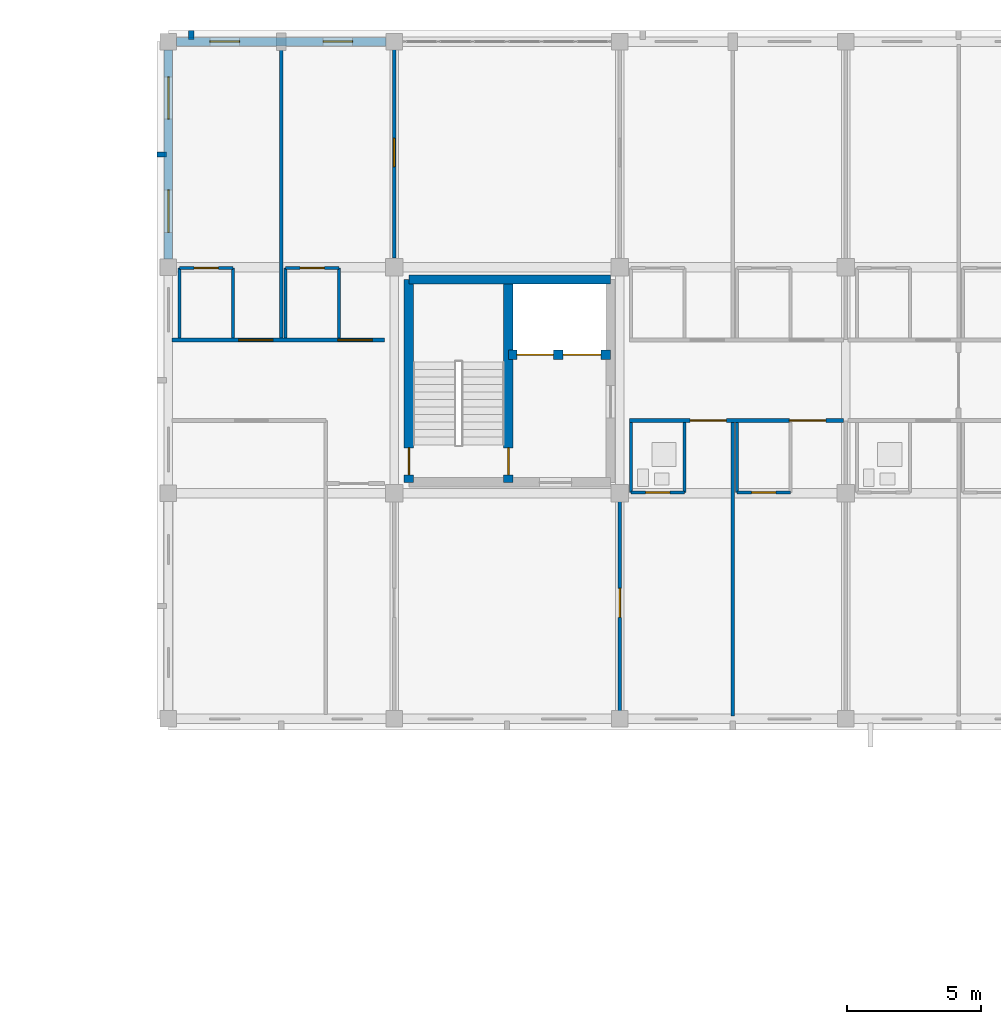
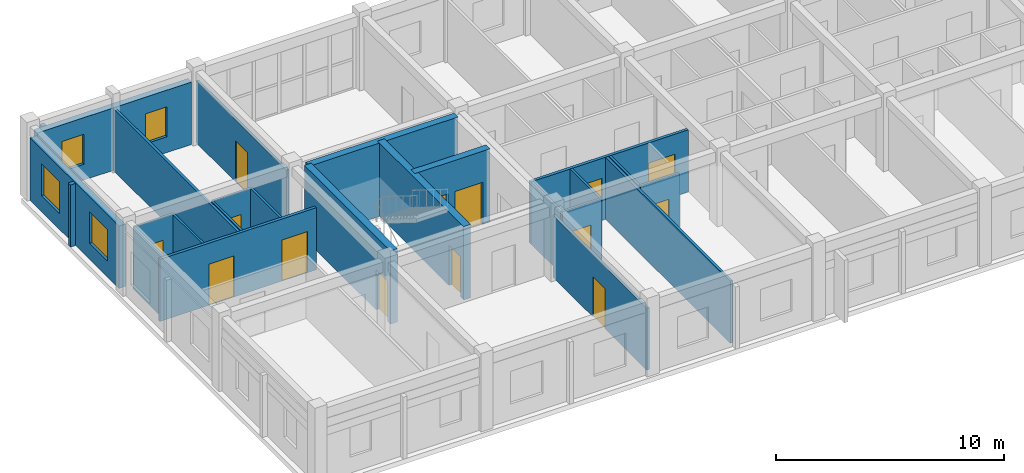
# One storey, part 66 of 81: 25 walls, 14 doors, 4 windows, 18 openings.
"""IFC4 building model written with IfcOpenShell, lengths in metres."""

from ifc_helpers import new_model, si_unit, direction, frame, frame_2d, origin, place, context, subcontext, project, spatial, rectangle, extrude, material, layer, layer_set, type_object, element, fill, save


model = new_model("IFC4")

# Units and contexts
model_context = context("Model", 3, precision=1e-05, world=origin(), true_north=direction((0.0, 1.0)))
body_context = subcontext(model_context, "Body", "Model", "MODEL_VIEW")
ifc_project = project(units=[si_unit("LENGTHUNIT", "METRE"), si_unit("AREAUNIT", "SQUARE_METRE"), si_unit("VOLUMEUNIT", "CUBIC_METRE"), si_unit("PLANEANGLEUNIT", "RADIAN"), si_unit("MASSUNIT", "GRAM", prefix="KILO")], contexts=[model_context])

# Site, building, storey
site_placement = place(None, origin())
site = spatial("IfcSite", under=ifc_project, at=site_placement, CompositionType="ELEMENT")
building_placement = place(site_placement, origin())
building = spatial("IfcBuilding", under=site, at=building_placement, Name="Trelvath General Hospital", CompositionType="ELEMENT")
storey_placement = place(building_placement, frame((0.0, 0.0, 24.60009765625)))
storey = spatial("IfcBuildingStorey", under=building, at=storey_placement, Name="L06", CompositionType="ELEMENT", Elevation=24.60009765625)

# Walls
ifc_material_1 = material(Name="Precast concrete C40/50", Category="concrete")
ifc_layer_1 = layer(ifc_material_1, 0.199951171875)
ifc_layer_set_1 = layer_set([ifc_layer_1], Name="Precast concrete C40/50")
wall_type_1 = type_object("IfcWallType", Name="BriseSoleilRib 200", PredefinedType="ELEMENTEDWALL", material=ifc_layer_set_1)
for number, where, z_axis, x_axis, name in (
    (1, (34.4501953125, 117.675048828125, 0.0), (0.0, 0.0, 1.0), (0.0, 1.0, 0.0), "Precast Concrete Brise-Soleil Rib Fin L06-415"),
    (2, (33.52490234375, 113.39990234375, 0.0), (0.0, 0.0, 1.0), (-1.0, 0.0, 0.0), "Precast Concrete Brise-Soleil Rib Fin L06-416"),
):
    element("IfcWall", number, at=place(storey_placement, frame(where, z_axis=z_axis, x_axis=x_axis)), inside=storey, type_object=wall_type_1, Name=name, PredefinedType="ELEMENTEDWALL", context=body_context, shape_type="SweptSolid", body=[
        extrude(rectangle(XDim=0.33984375, YDim=0.199951171875, at=frame_2d((0.169921875, 0.0))), origin(), (0.0, 0.0, 1.0), 3.31982421875),
    ])

# Wall, openings, doors
ifc_material_2 = material(Name="Gypsum acoustic steel-stud partition", Category="steel")
ifc_layer_2 = layer(ifc_material_2, 0.14990234375)
ifc_layer_set_2 = layer_set([ifc_layer_2], Name="Gypsum acoustic steel-stud partition")
wall_type_2 = type_object("IfcWallType", Name="ClinicalPartition 150", PredefinedType="PARTITIONING", material=ifc_layer_set_2)
wall_1_placement = place(storey_placement, frame((41.639892578125, 106.5, 0.0), z_axis=(0.0, 0.0, 1.0), x_axis=(-1.0, 0.0, 0.0)))
wall_1 = element("IfcWall", 3, at=wall_1_placement, inside=storey, type_object=wall_type_2, Name="Corridor Partition N L06-2159", PredefinedType="PARTITIONING", context=body_context, shape_type="SweptSolid", body=[
    extrude(rectangle(XDim=7.89990234375, YDim=0.14990234375, at=frame_2d((3.949951171875, 0.0))), origin(), (0.0, 0.0, 1.0), 3.31982421875),
])
opening_1_placement = place(wall_1_placement, frame((0.449951171875, 0.0, 0.0)))
opening_1 = element("IfcOpeningElement", 4, at=opening_1_placement, cuts=wall_1, Name="Opening D-6-1373", PredefinedType="OPENING", context=body_context, shape_type="SweptSolid", body=[
    extrude(rectangle(XDim=1.280029296875, YDim=2.199951171875, at=frame_2d((0.64013671875, 1.10009765625))), frame((0.0, 0.0849609375, 0.0), z_axis=(0.0, -1.0, 0.0), x_axis=(1.0, 0.0, 0.0)), (0.0, 0.0, 1.0), 0.169921875),
])
opening_2_placement = place(wall_1_placement, frame((4.14990234375, 0.0, 0.0)))
opening_2 = element("IfcOpeningElement", 5, at=opening_2_placement, cuts=wall_1, Name="Opening D-6-1374", PredefinedType="OPENING", context=body_context, shape_type="SweptSolid", body=[
    extrude(rectangle(XDim=1.280029296875, YDim=2.199951171875, at=frame_2d((0.64013671875, 1.10009765625))), frame((0.0, 0.0849609375, 0.0), z_axis=(0.0, -1.0, 0.0), x_axis=(1.0, 0.0, 0.0)), (0.0, 0.0, 1.0), 0.169921875),
])
ifc_material_3 = material(Name="Pediatric ward timber door", Category="wood")
door_type_1 = type_object("IfcDoorType", Name="Door PatientPeds 1280x2200", OperationType="NOTDEFINED", PredefinedType="DOOR", material=ifc_material_3)
door_1_placement = place(opening_1_placement, origin())
door_1 = element("IfcDoor", 6, at=door_1_placement, inside=storey, type_object=door_type_1, Name="Patient Room Door N L06-1373", OperationType="SINGLE_SWING_LEFT", OverallHeight=2.199951171875, OverallWidth=1.280029296875, PredefinedType="DOOR", context=body_context, shape_type="SweptSolid", body=[
    extrude(rectangle(XDim=1.280029296875, YDim=2.199951171875, at=frame_2d((0.64013671875, 1.10009765625))), frame((0.0, 0.02490234375, 0.0), z_axis=(0.0, -1.0, 0.0), x_axis=(1.0, 0.0, 0.0)), (0.0, 0.0, 1.0), 0.050048828125),
])
fill(opening_1, door_1)
door_2_placement = place(opening_2_placement, origin())
door_2 = element("IfcDoor", 7, at=door_2_placement, inside=storey, type_object=door_type_1, Name="Patient Room Door N L06-1374", OperationType="SINGLE_SWING_LEFT", OverallHeight=2.199951171875, OverallWidth=1.280029296875, PredefinedType="DOOR", context=body_context, shape_type="SweptSolid", body=[
    extrude(rectangle(XDim=1.280029296875, YDim=2.199951171875, at=frame_2d((0.64013671875, 1.10009765625))), frame((0.0, 0.02490234375, 0.0), z_axis=(0.0, -1.0, 0.0), x_axis=(1.0, 0.0, 0.0)), (0.0, 0.0, 1.0), 0.050048828125),
])
fill(opening_2, door_2)

wall_2_placement = place(storey_placement, frame((50.760009765625, 103.5, 0.0), z_axis=(0.0, 0.0, 1.0), x_axis=(1.0, 0.0, 0.0)))
wall_2 = element("IfcWall", 8, at=wall_2_placement, inside=storey, type_object=wall_type_2, Name="Corridor Partition L06-2171", PredefinedType="PARTITIONING", context=body_context, shape_type="SweptSolid", body=[
    extrude(rectangle(XDim=7.9599609375, YDim=0.14990234375, at=frame_2d((3.97998046875, 0.0))), origin(), (0.0, 0.0, 1.0), 3.31982421875),
])
opening_3_placement = place(wall_2_placement, frame((2.25, 0.0, 0.0)))
opening_3 = element("IfcOpeningElement", 9, at=opening_3_placement, cuts=wall_2, Name="Opening D-6-1381", PredefinedType="OPENING", context=body_context, shape_type="SweptSolid", body=[
    extrude(rectangle(XDim=1.35009765625, YDim=2.25, at=frame_2d((0.675048828125, 1.125))), frame((0.0, 0.0849609375, 0.0), z_axis=(0.0, -1.0, 0.0), x_axis=(1.0, 0.0, 0.0)), (0.0, 0.0, 1.0), 0.169921875),
])
opening_4_placement = place(wall_2_placement, frame((5.949951171875, 0.0, 0.0)))
opening_4 = element("IfcOpeningElement", 10, at=opening_4_placement, cuts=wall_2, Name="Opening D-6-1382", PredefinedType="OPENING", context=body_context, shape_type="SweptSolid", body=[
    extrude(rectangle(XDim=1.35009765625, YDim=2.25, at=frame_2d((0.675048828125, 1.125))), frame((0.0, 0.0849609375, 0.0), z_axis=(0.0, -1.0, 0.0), x_axis=(1.0, 0.0, 0.0)), (0.0, 0.0, 1.0), 0.169921875),
])
ifc_material_4 = material(Name="Airtight isolation bed door")
door_type_2 = type_object("IfcDoorType", Name="Door PatientIso 1350x2250", OperationType="NOTDEFINED", PredefinedType="DOOR", material=ifc_material_4)
door_3_placement = place(opening_3_placement, origin())
door_3 = element("IfcDoor", 11, at=door_3_placement, inside=storey, type_object=door_type_2, Name="Patient Room Door L06-1381", OperationType="SINGLE_SWING_RIGHT", OverallHeight=2.25, OverallWidth=1.35009765625, PredefinedType="DOOR", context=body_context, shape_type="SweptSolid", body=[
    extrude(rectangle(XDim=1.35009765625, YDim=2.25, at=frame_2d((0.675048828125, 1.125))), frame((0.0, 0.02490234375, 0.0), z_axis=(0.0, -1.0, 0.0), x_axis=(1.0, 0.0, 0.0)), (0.0, 0.0, 1.0), 0.050048828125),
])
fill(opening_3, door_3)
door_4_placement = place(opening_4_placement, origin())
door_4 = element("IfcDoor", 12, at=door_4_placement, inside=storey, type_object=door_type_2, Name="Patient Room Door L06-1382", OperationType="SINGLE_SWING_LEFT", OverallHeight=2.25, OverallWidth=1.35009765625, PredefinedType="DOOR", context=body_context, shape_type="SweptSolid", body=[
    extrude(rectangle(XDim=1.35009765625, YDim=2.25, at=frame_2d((0.675048828125, 1.125))), frame((0.0, 0.02490234375, 0.0), z_axis=(0.0, -1.0, 0.0), x_axis=(1.0, 0.0, 0.0)), (0.0, 0.0, 1.0), 0.050048828125),
])
fill(opening_4, door_4)

# Wall
ifc_material_5 = material(Name="Concrete C40/50", Category="concrete")
ifc_layer_3 = layer(ifc_material_5, 0.35009765625)
ifc_layer_set_3 = layer_set([ifc_layer_3], Name="Concrete C40/50")
wall_type_3 = type_object("IfcWallType", Name="CoreShearWall 350", PredefinedType="SHEAR", material=ifc_layer_set_3)
wall_3_placement = place(storey_placement, frame((42.550048828125, 108.75, 0.0), z_axis=(0.0, 0.0, 1.0), x_axis=(1.0, 0.0, 0.0)))
element("IfcWall", 13, at=wall_3_placement, inside=storey, type_object=wall_type_3, Name="Core Shear Wall C1 N L06", PredefinedType="SHEAR", context=body_context, shape_type="SweptSolid", body=[
    extrude(rectangle(XDim=7.5, YDim=0.35009765625, at=frame_2d((3.75, 0.0))), origin(), (0.0, 0.0, 1.0), 3.919921875),
])

# Wall, opening, door
wall_4_placement = place(storey_placement, frame((42.550048828125, 101.199951171875, 0.0), z_axis=(0.0, 0.0, 1.0), x_axis=(0.0, 1.0, 0.0)))
wall_4 = element("IfcWall", 14, at=wall_4_placement, inside=storey, type_object=wall_type_3, Name="Core Shear Wall C1 W L06", PredefinedType="SHEAR", context=body_context, shape_type="SweptSolid", body=[
    extrude(rectangle(XDim=7.550048828125, YDim=0.35009765625, at=frame_2d((3.77490234375, 0.0))), origin(), (0.0, 0.0, 1.0), 3.919921875),
])
opening_5_placement = place(wall_4_placement, frame((0.280029296875, 0.0, 0.0)))
opening_5 = element("IfcOpeningElement", 15, at=opening_5_placement, cuts=wall_4, Name="Opening FD-SW16", PredefinedType="OPENING", context=body_context, shape_type="SweptSolid", body=[
    extrude(rectangle(XDim=1.0, YDim=2.14990234375, at=frame_2d((0.5, 1.074951171875))), frame((0.0, 0.18505859375, 0.0), z_axis=(0.0, -1.0, 0.0), x_axis=(1.0, 0.0, 0.0)), (0.0, 0.0, 1.0), 0.3701171875),
])
ifc_material_6 = material(Name="Fire-rated steel door", Category="steel")
door_type_3 = type_object("IfcDoorType", Name="Door FireStair 1100x2150", OperationType="NOTDEFINED", PredefinedType="DOOR", material=ifc_material_6)
door_5_placement = place(opening_5_placement, origin())
door_5 = element("IfcDoor", 16, at=door_5_placement, inside=storey, type_object=door_type_3, Name="West Corridor Stair Door ST1 L06", OperationType="SINGLE_SWING_LEFT", OverallHeight=2.14990234375, OverallWidth=1.0, PredefinedType="DOOR", context=body_context, shape_type="SweptSolid", body=[
    extrude(rectangle(XDim=1.0, YDim=2.14990234375, at=frame_2d((0.5, 1.074951171875))), frame((0.0, 0.02490234375, 0.0), z_axis=(0.0, -1.0, 0.0), x_axis=(1.0, 0.0, 0.0)), (0.0, 0.0, 1.0), 0.050048828125),
])
fill(opening_5, door_5)

wall_5_placement = place(storey_placement, frame((46.25, 101.199951171875, 0.0), z_axis=(0.0, 0.0, 1.0), x_axis=(0.0, 1.0, 0.0)))
wall_5 = element("IfcWall", 17, at=wall_5_placement, inside=storey, type_object=wall_type_3, Name="Core Shear Wall C1 SPINE L06", PredefinedType="SHEAR", context=body_context, shape_type="SweptSolid", body=[
    extrude(rectangle(XDim=7.550048828125, YDim=0.35009765625, at=frame_2d((3.77490234375, 0.0))), origin(), (0.0, 0.0, 1.0), 3.919921875),
])
opening_6_placement = place(wall_5_placement, frame((0.280029296875, 0.0, 0.0)))
opening_6 = element("IfcOpeningElement", 18, at=opening_6_placement, cuts=wall_5, Name="Opening FD-S16", PredefinedType="OPENING", context=body_context, shape_type="SweptSolid", body=[
    extrude(rectangle(XDim=1.0, YDim=2.14990234375, at=frame_2d((0.5, 1.074951171875))), frame((0.0, 0.18505859375, 0.0), z_axis=(0.0, -1.0, 0.0), x_axis=(1.0, 0.0, 0.0)), (0.0, 0.0, 1.0), 0.3701171875),
])
door_6_placement = place(opening_6_placement, origin())
door_6 = element("IfcDoor", 19, at=door_6_placement, inside=storey, type_object=door_type_3, Name="Exit Stair Door ST1 L06", OperationType="SINGLE_SWING_RIGHT", OverallHeight=2.14990234375, OverallWidth=1.0, PredefinedType="DOOR", context=body_context, shape_type="SweptSolid", body=[
    extrude(rectangle(XDim=1.0, YDim=2.14990234375, at=frame_2d((0.5, 1.074951171875))), frame((0.0, 0.02490234375, 0.0), z_axis=(0.0, -1.0, 0.0), x_axis=(1.0, 0.0, 0.0)), (0.0, 0.0, 1.0), 0.050048828125),
])
fill(opening_6, door_6)

# Wall, openings, doors
wall_6_placement = place(storey_placement, frame((46.25, 105.949951171875, 0.0), z_axis=(0.0, 0.0, 1.0), x_axis=(1.0, 0.0, 0.0)))
wall_6 = element("IfcWall", 20, at=wall_6_placement, inside=storey, type_object=wall_type_3, Name="Core Shear Wall C1 SHAFT L06", PredefinedType="SHEAR", context=body_context, shape_type="SweptSolid", body=[
    extrude(rectangle(XDim=3.800048828125, YDim=0.35009765625, at=frame_2d((1.89990234375, 0.0))), origin(), (0.0, 0.0, 1.0), 3.919921875),
])
opening_7_placement = place(wall_6_placement, frame((0.320068359375, 0.0, 0.0)))
opening_7 = element("IfcOpeningElement", 21, at=opening_7_placement, cuts=wall_6, Name="Opening LD-FF1-6", PredefinedType="OPENING", context=body_context, shape_type="SweptSolid", body=[
    extrude(rectangle(XDim=1.35009765625, YDim=2.25, at=frame_2d((0.675048828125, 1.125))), frame((0.0, 0.18505859375, 0.0), z_axis=(0.0, -1.0, 0.0), x_axis=(1.0, 0.0, 0.0)), (0.0, 0.0, 1.0), 0.3701171875),
])
opening_8_placement = place(wall_6_placement, frame((2.0400390625, 0.0, 0.0)))
opening_8 = element("IfcOpeningElement", 22, at=opening_8_placement, cuts=wall_6, Name="Opening LD-BD1-6", PredefinedType="OPENING", context=body_context, shape_type="SweptSolid", body=[
    extrude(rectangle(XDim=1.39990234375, YDim=2.25, at=frame_2d((0.699951171875, 1.125))), frame((0.0, 0.18505859375, 0.0), z_axis=(0.0, -1.0, 0.0), x_axis=(1.0, 0.0, 0.0)), (0.0, 0.0, 1.0), 0.3701171875),
])
ifc_material_7 = material(Name="Stainless steel stretcher lift landing door", Category="steel")
door_type_4 = type_object("IfcDoorType", Name="Door LiftBed 1400x2250", OperationType="SLIDING_TO_LEFT", PredefinedType="DOOR", material=ifc_material_7)
door_7_placement = place(opening_8_placement, origin())
door_7 = element("IfcDoor", 23, at=door_7_placement, inside=storey, type_object=door_type_4, Name="Lift Landing Sliding Door LF-BD1 L06", OperationType="SLIDING_TO_LEFT", OverallHeight=2.25, OverallWidth=1.39990234375, PredefinedType="DOOR", context=body_context, shape_type="SweptSolid", body=[
    extrude(rectangle(XDim=1.39990234375, YDim=2.25, at=frame_2d((0.699951171875, 1.125))), frame((0.0, 0.02490234375, 0.0), z_axis=(0.0, -1.0, 0.0), x_axis=(1.0, 0.0, 0.0)), (0.0, 0.0, 1.0), 0.050048828125),
])
fill(opening_8, door_7)
ifc_material_8 = material(Name="Fire-rated stainless lift landing door")
door_type_5 = type_object("IfcDoorType", Name="Door LiftFire 1350x2250", OperationType="SLIDING_TO_LEFT", PredefinedType="DOOR", material=ifc_material_8)
door_8_placement = place(opening_7_placement, origin())
door_8 = element("IfcDoor", 24, at=door_8_placement, inside=storey, type_object=door_type_5, Name="Lift Landing Sliding Door LF-FF1 L06", OperationType="SLIDING_TO_LEFT", OverallHeight=2.25, OverallWidth=1.35009765625, PredefinedType="DOOR", context=body_context, shape_type="SweptSolid", body=[
    extrude(rectangle(XDim=1.35009765625, YDim=2.25, at=frame_2d((0.675048828125, 1.125))), frame((0.0, 0.02490234375, 0.0), z_axis=(0.0, -1.0, 0.0), x_axis=(1.0, 0.0, 0.0)), (0.0, 0.0, 1.0), 0.050048828125),
])
fill(opening_7, door_8)

# Walls
ifc_material_9 = material(Name="Moisture-resistant tile partition")
ifc_layer_4 = layer(ifc_material_9, 0.110107421875)
ifc_layer_set_4 = layer_set([ifc_layer_4], Name="Moisture-resistant tile partition")
wall_type_4 = type_object("IfcWallType", Name="EnSuiteWetWall 110", PredefinedType="PARTITIONING", material=ifc_layer_set_4)
for number, where, z_axis, x_axis, name in (
    (25, (34.02001953125, 106.570068359375, 0.0), (0.0, 0.0, 1.0), (0.0, 1.0, 0.0), "En-Suite W Wall N L06-2161"),
    (26, (36.0, 106.570068359375, 0.0), (0.0, 0.0, 1.0), (0.0, 1.0, 0.0), "En-Suite E Wall N L06-2162"),
):
    element("IfcWall", number, at=place(storey_placement, frame(where, z_axis=z_axis, x_axis=x_axis)), inside=storey, type_object=wall_type_4, Name=name, PredefinedType="PARTITIONING", context=body_context, shape_type="SweptSolid", body=[
        extrude(rectangle(XDim=2.60986328125, YDim=0.110107421875, at=frame_2d((1.304931640625, 0.0))), origin(), (0.0, 0.0, 1.0), 3.31982421875),
    ])

# Wall, opening, door
wall_7_placement = place(storey_placement, frame((34.02001953125, 109.179931640625, 0.0), z_axis=(0.0, 0.0, 1.0), x_axis=(1.0, 0.0, 0.0)))
wall_7 = element("IfcWall", 27, at=wall_7_placement, inside=storey, type_object=wall_type_4, Name="En-Suite Bathroom N Partition L06-2163", PredefinedType="PARTITIONING", context=body_context, shape_type="SweptSolid", body=[
    extrude(rectangle(XDim=1.97998046875, YDim=0.110107421875, at=frame_2d((0.989990234375, 0.0))), origin(), (0.0, 0.0, 1.0), 3.31982421875),
])
opening_9_placement = place(wall_7_placement, frame((0.5400390625, 0.0, 0.0)))
opening_9 = element("IfcOpeningElement", 28, at=opening_9_placement, cuts=wall_7, Name="Opening D-6-1375", PredefinedType="OPENING", context=body_context, shape_type="SweptSolid", body=[
    extrude(rectangle(XDim=0.89990234375, YDim=2.10009765625, at=frame_2d((0.449951171875, 1.050048828125))), frame((0.0, 0.06494140625, 0.0), z_axis=(0.0, -1.0, 0.0), x_axis=(1.0, 0.0, 0.0)), (0.0, 0.0, 1.0), 0.130126953125),
])
ifc_material_10 = material(Name="Moisture-sealed timber leaf", Category="wood")
door_type_6 = type_object("IfcDoorType", Name="Door EnSuite 900x2100", OperationType="NOTDEFINED", PredefinedType="DOOR", material=ifc_material_10)
door_9_placement = place(opening_9_placement, origin())
door_9 = element("IfcDoor", 29, at=door_9_placement, inside=storey, type_object=door_type_6, Name="En-Suite Bathroom N Door L06-1375", OperationType="SINGLE_SWING_RIGHT", OverallHeight=2.10009765625, OverallWidth=0.89990234375, PredefinedType="DOOR", context=body_context, shape_type="SweptSolid", body=[
    extrude(rectangle(XDim=0.89990234375, YDim=2.10009765625, at=frame_2d((0.449951171875, 1.050048828125))), frame((0.0, 0.02490234375, 0.0), z_axis=(0.0, -1.0, 0.0), x_axis=(1.0, 0.0, 0.0)), (0.0, 0.0, 1.0), 0.050048828125),
])
fill(opening_9, door_9)

# Walls
for number, where, z_axis, x_axis, name in (
    (30, (37.9599609375, 106.570068359375, 0.0), (0.0, 0.0, 1.0), (0.0, 1.0, 0.0), "En-Suite W Wall N L06-2164"),
    (31, (39.93994140625, 106.570068359375, 0.0), (0.0, 0.0, 1.0), (0.0, 1.0, 0.0), "En-Suite E Wall N L06-2165"),
):
    element("IfcWall", number, at=place(storey_placement, frame(where, z_axis=z_axis, x_axis=x_axis)), inside=storey, type_object=wall_type_4, Name=name, PredefinedType="PARTITIONING", context=body_context, shape_type="SweptSolid", body=[
        extrude(rectangle(XDim=2.60986328125, YDim=0.110107421875, at=frame_2d((1.304931640625, 0.0))), origin(), (0.0, 0.0, 1.0), 3.31982421875),
    ])

# Wall, opening, door
wall_8_placement = place(storey_placement, frame((37.9599609375, 109.179931640625, 0.0), z_axis=(0.0, 0.0, 1.0), x_axis=(1.0, 0.0, 0.0)))
wall_8 = element("IfcWall", 32, at=wall_8_placement, inside=storey, type_object=wall_type_4, Name="En-Suite Bathroom N Partition L06-2166", PredefinedType="PARTITIONING", context=body_context, shape_type="SweptSolid", body=[
    extrude(rectangle(XDim=1.97998046875, YDim=0.110107421875, at=frame_2d((0.989990234375, 0.0))), origin(), (0.0, 0.0, 1.0), 3.31982421875),
])
opening_10_placement = place(wall_8_placement, frame((0.5400390625, 0.0, 0.0)))
opening_10 = element("IfcOpeningElement", 33, at=opening_10_placement, cuts=wall_8, Name="Opening D-6-1376", PredefinedType="OPENING", context=body_context, shape_type="SweptSolid", body=[
    extrude(rectangle(XDim=0.89990234375, YDim=2.10009765625, at=frame_2d((0.449951171875, 1.050048828125))), frame((0.0, 0.06494140625, 0.0), z_axis=(0.0, -1.0, 0.0), x_axis=(1.0, 0.0, 0.0)), (0.0, 0.0, 1.0), 0.130126953125),
])
door_10_placement = place(opening_10_placement, origin())
door_10 = element("IfcDoor", 34, at=door_10_placement, inside=storey, type_object=door_type_6, Name="En-Suite Bathroom N Door L06-1376", OperationType="SINGLE_SWING_LEFT", OverallHeight=2.10009765625, OverallWidth=0.89990234375, PredefinedType="DOOR", context=body_context, shape_type="SweptSolid", body=[
    extrude(rectangle(XDim=0.89990234375, YDim=2.10009765625, at=frame_2d((0.449951171875, 1.050048828125))), frame((0.0, 0.02490234375, 0.0), z_axis=(0.0, -1.0, 0.0), x_axis=(1.0, 0.0, 0.0)), (0.0, 0.0, 1.0), 0.050048828125),
])
fill(opening_10, door_10)

# Walls
for number, where, z_axis, x_axis, name in (
    (35, (50.820068359375, 100.820068359375, 0.0), (0.0, 0.0, 1.0), (0.0, 1.0, 0.0), "En-Suite W Wall L06-2173"),
    (36, (52.800048828125, 100.820068359375, 0.0), (0.0, 0.0, 1.0), (0.0, 1.0, 0.0), "En-Suite E Wall L06-2174"),
):
    element("IfcWall", number, at=place(storey_placement, frame(where, z_axis=z_axis, x_axis=x_axis)), inside=storey, type_object=wall_type_4, Name=name, PredefinedType="PARTITIONING", context=body_context, shape_type="SweptSolid", body=[
        extrude(rectangle(XDim=2.60986328125, YDim=0.110107421875, at=frame_2d((1.304931640625, 0.0))), origin(), (0.0, 0.0, 1.0), 3.31982421875),
    ])

# Wall, opening, door
wall_9_placement = place(storey_placement, frame((50.820068359375, 100.820068359375, 0.0), z_axis=(0.0, 0.0, 1.0), x_axis=(1.0, 0.0, 0.0)))
wall_9 = element("IfcWall", 37, at=wall_9_placement, inside=storey, type_object=wall_type_4, Name="En-Suite Bathroom Partition L06-2175", PredefinedType="PARTITIONING", context=body_context, shape_type="SweptSolid", body=[
    extrude(rectangle(XDim=1.97998046875, YDim=0.110107421875, at=frame_2d((0.989990234375, 0.0))), origin(), (0.0, 0.0, 1.0), 3.31982421875),
])
opening_11_placement = place(wall_9_placement, frame((0.5400390625, 0.0, 0.0)))
opening_11 = element("IfcOpeningElement", 38, at=opening_11_placement, cuts=wall_9, Name="Opening D-6-1383", PredefinedType="OPENING", context=body_context, shape_type="SweptSolid", body=[
    extrude(rectangle(XDim=0.89990234375, YDim=2.10009765625, at=frame_2d((0.449951171875, 1.050048828125))), frame((0.0, 0.06494140625, 0.0), z_axis=(0.0, -1.0, 0.0), x_axis=(1.0, 0.0, 0.0)), (0.0, 0.0, 1.0), 0.130126953125),
])
door_11_placement = place(opening_11_placement, origin())
door_11 = element("IfcDoor", 39, at=door_11_placement, inside=storey, type_object=door_type_6, Name="En-Suite Bathroom Door L06-1383", OperationType="SINGLE_SWING_RIGHT", OverallHeight=2.10009765625, OverallWidth=0.89990234375, PredefinedType="DOOR", context=body_context, shape_type="SweptSolid", body=[
    extrude(rectangle(XDim=0.89990234375, YDim=2.10009765625, at=frame_2d((0.449951171875, 1.050048828125))), frame((0.0, 0.02490234375, 0.0), z_axis=(0.0, -1.0, 0.0), x_axis=(1.0, 0.0, 0.0)), (0.0, 0.0, 1.0), 0.050048828125),
])
fill(opening_11, door_11)

# Wall
wall_10_placement = place(storey_placement, frame((54.760009765625, 100.820068359375, 0.0), z_axis=(0.0, 0.0, 1.0), x_axis=(0.0, 1.0, 0.0)))
element("IfcWall", 40, at=wall_10_placement, inside=storey, type_object=wall_type_4, Name="En-Suite W Wall L06-2176", PredefinedType="PARTITIONING", context=body_context, shape_type="SweptSolid", body=[
    extrude(rectangle(XDim=2.60986328125, YDim=0.110107421875, at=frame_2d((1.304931640625, 0.0))), origin(), (0.0, 0.0, 1.0), 3.31982421875),
])

# Wall, opening, door
wall_11_placement = place(storey_placement, frame((54.760009765625, 100.820068359375, 0.0), z_axis=(0.0, 0.0, 1.0), x_axis=(1.0, 0.0, 0.0)))
wall_11 = element("IfcWall", 41, at=wall_11_placement, inside=storey, type_object=wall_type_4, Name="En-Suite Bathroom Partition L06-2178", PredefinedType="PARTITIONING", context=body_context, shape_type="SweptSolid", body=[
    extrude(rectangle(XDim=1.97998046875, YDim=0.110107421875, at=frame_2d((0.989990234375, 0.0))), origin(), (0.0, 0.0, 1.0), 3.31982421875),
])
opening_12_placement = place(wall_11_placement, frame((0.5400390625, 0.0, 0.0)))
opening_12 = element("IfcOpeningElement", 42, at=opening_12_placement, cuts=wall_11, Name="Opening D-6-1384", PredefinedType="OPENING", context=body_context, shape_type="SweptSolid", body=[
    extrude(rectangle(XDim=0.89990234375, YDim=2.10009765625, at=frame_2d((0.449951171875, 1.050048828125))), frame((0.0, 0.06494140625, 0.0), z_axis=(0.0, -1.0, 0.0), x_axis=(1.0, 0.0, 0.0)), (0.0, 0.0, 1.0), 0.130126953125),
])
door_12_placement = place(opening_12_placement, origin())
door_12 = element("IfcDoor", 43, at=door_12_placement, inside=storey, type_object=door_type_6, Name="En-Suite Bathroom Door L06-1384", OperationType="SINGLE_SWING_LEFT", OverallHeight=2.10009765625, OverallWidth=0.89990234375, PredefinedType="DOOR", context=body_context, shape_type="SweptSolid", body=[
    extrude(rectangle(XDim=0.89990234375, YDim=2.10009765625, at=frame_2d((0.449951171875, 1.050048828125))), frame((0.0, 0.02490234375, 0.0), z_axis=(0.0, -1.0, 0.0), x_axis=(1.0, 0.0, 0.0)), (0.0, 0.0, 1.0), 0.050048828125),
])
fill(opening_12, door_12)

# Wall, openings, windows
ifc_material_11 = material(Name="Concrete C35/45", Category="concrete")
ifc_layer_5 = layer(ifc_material_11, 0.320068359375)
ifc_layer_set_5 = layer_set([ifc_layer_5], Name="Concrete C35/45")
wall_type_5 = type_object("IfcWallType", Name="ExtThermalWall 320", PredefinedType="SOLIDWALL", material=ifc_layer_set_5)
wall_12_placement = place(storey_placement, frame((33.905029296875, 117.60009765625, 0.0), z_axis=(0.0, 0.0, 1.0), x_axis=(1.0, 0.0, 0.0)))
wall_12 = element("IfcWall", 44, at=wall_12_placement, inside=storey, type_object=wall_type_5, Name="Exterior Concrete Wall L06-558", PredefinedType="SOLIDWALL", context=body_context, shape_type="SweptSolid", body=[
    extrude(rectangle(XDim=7.7900390625, YDim=0.320068359375, at=frame_2d((3.89501953125, 0.0))), origin(), (0.0, 0.0, 1.0), 3.33984375),
])
opening_13_placement = place(wall_12_placement, frame((1.24169921875, 0.0, 0.85009765625)))
opening_13 = element("IfcOpeningElement", 45, at=opening_13_placement, cuts=wall_12, Name="Opening WN-6-931", PredefinedType="OPENING", context=body_context, shape_type="SweptSolid", body=[
    extrude(rectangle(XDim=1.10009765625, YDim=1.60009765625, at=frame_2d((0.550048828125, 0.800048828125))), frame((0.0, 0.169921875, 0.0), z_axis=(0.0, -1.0, 0.0), x_axis=(1.0, 0.0, 0.0)), (0.0, 0.0, 1.0), 0.340087890625),
])
opening_14_placement = place(wall_12_placement, frame((5.4482421875, 0.0, 0.85009765625)))
opening_14 = element("IfcOpeningElement", 46, at=opening_14_placement, cuts=wall_12, Name="Opening WN-6-932", PredefinedType="OPENING", context=body_context, shape_type="SweptSolid", body=[
    extrude(rectangle(XDim=1.10009765625, YDim=1.60009765625, at=frame_2d((0.550048828125, 0.800048828125))), frame((0.0, 0.169921875, 0.0), z_axis=(0.0, -1.0, 0.0), x_axis=(1.0, 0.0, 0.0)), (0.0, 0.0, 1.0), 0.340087890625),
])
ifc_material_12 = material(Name="Low-E laminated glass", Category="glass")
window_type_1 = type_object("IfcWindowType", Name="Window DeepReveal 1100x1600", PartitioningType="SINGLE_PANEL", PredefinedType="WINDOW", material=ifc_material_12)
window_1_placement = place(opening_13_placement, origin())
window_1 = element("IfcWindow", 47, at=window_1_placement, inside=storey, type_object=window_type_1, Name="Solar Reveal Window L06-931", OverallHeight=1.60009765625, OverallWidth=1.10009765625, PartitioningType="SINGLE_PANEL", PredefinedType="WINDOW", context=body_context, shape_type="SweptSolid", body=[
    extrude(rectangle(XDim=1.10009765625, YDim=1.60009765625, at=frame_2d((0.550048828125, 0.800048828125))), frame((0.0, 0.030029296875, 0.0), z_axis=(0.0, -1.0, 0.0), x_axis=(1.0, 0.0, 0.0)), (0.0, 0.0, 1.0), 0.06005859375),
])
fill(opening_13, window_1)
window_2_placement = place(opening_14_placement, origin())
window_2 = element("IfcWindow", 48, at=window_2_placement, inside=storey, type_object=window_type_1, Name="Solar Reveal Window L06-932", OverallHeight=1.60009765625, OverallWidth=1.10009765625, PartitioningType="SINGLE_PANEL", PredefinedType="WINDOW", context=body_context, shape_type="SweptSolid", body=[
    extrude(rectangle(XDim=1.10009765625, YDim=1.60009765625, at=frame_2d((0.550048828125, 0.800048828125))), frame((0.0, 0.030029296875, 0.0), z_axis=(0.0, -1.0, 0.0), x_axis=(1.0, 0.0, 0.0)), (0.0, 0.0, 1.0), 0.06005859375),
])
fill(opening_14, window_2)

wall_13_placement = place(storey_placement, frame((33.60009765625, 109.5048828125, 0.0), z_axis=(0.0, 0.0, 1.0), x_axis=(0.0, 1.0, 0.0)))
wall_13 = element("IfcWall", 49, at=wall_13_placement, inside=storey, type_object=wall_type_5, Name="Exterior Concrete Wall L06-559", PredefinedType="SOLIDWALL", context=body_context, shape_type="SweptSolid", body=[
    extrude(rectangle(XDim=7.7900390625, YDim=0.320068359375, at=frame_2d((3.89501953125, 0.0))), origin(), (0.0, 0.0, 1.0), 3.33984375),
])
opening_15_placement = place(wall_13_placement, frame((1.001708984375, 0.0, 0.85009765625)))
opening_15 = element("IfcOpeningElement", 50, at=opening_15_placement, cuts=wall_13, Name="Opening WN-6-933", PredefinedType="OPENING", context=body_context, shape_type="SweptSolid", body=[
    extrude(rectangle(XDim=1.580078125, YDim=1.699951171875, at=frame_2d((0.7900390625, 0.85009765625))), frame((0.0, 0.169921875, 0.0), z_axis=(0.0, -1.0, 0.0), x_axis=(1.0, 0.0, 0.0)), (0.0, 0.0, 1.0), 0.340087890625),
])
opening_16_placement = place(wall_13_placement, frame((5.208251953125, 0.0, 0.85009765625)))
opening_16 = element("IfcOpeningElement", 51, at=opening_16_placement, cuts=wall_13, Name="Opening WN-6-934", PredefinedType="OPENING", context=body_context, shape_type="SweptSolid", body=[
    extrude(rectangle(XDim=1.580078125, YDim=1.699951171875, at=frame_2d((0.7900390625, 0.85009765625))), frame((0.0, 0.169921875, 0.0), z_axis=(0.0, -1.0, 0.0), x_axis=(1.0, 0.0, 0.0)), (0.0, 0.0, 1.0), 0.340087890625),
])
ifc_material_13 = material(Name="Low-E laminated glass", Category="glass")
window_type_2 = type_object("IfcWindowType", Name="Window Recovery 1580x1700", PartitioningType="DOUBLE_PANEL_VERTICAL", PredefinedType="WINDOW", material=ifc_material_13)
window_3_placement = place(opening_15_placement, origin())
window_3 = element("IfcWindow", 52, at=window_3_placement, inside=storey, type_object=window_type_2, Name="Solar Reveal Window L06-933", OverallHeight=1.699951171875, OverallWidth=1.580078125, PartitioningType="SINGLE_PANEL", PredefinedType="WINDOW", context=body_context, shape_type="SweptSolid", body=[
    extrude(rectangle(XDim=1.580078125, YDim=1.699951171875, at=frame_2d((0.7900390625, 0.85009765625))), frame((0.0, 0.030029296875, 0.0), z_axis=(0.0, -1.0, 0.0), x_axis=(1.0, 0.0, 0.0)), (0.0, 0.0, 1.0), 0.06005859375),
])
fill(opening_15, window_3)
window_4_placement = place(opening_16_placement, origin())
window_4 = element("IfcWindow", 53, at=window_4_placement, inside=storey, type_object=window_type_2, Name="Solar Reveal Window L06-934", OverallHeight=1.699951171875, OverallWidth=1.580078125, PartitioningType="SINGLE_PANEL", PredefinedType="WINDOW", context=body_context, shape_type="SweptSolid", body=[
    extrude(rectangle(XDim=1.580078125, YDim=1.699951171875, at=frame_2d((0.7900390625, 0.85009765625))), frame((0.0, 0.030029296875, 0.0), z_axis=(0.0, -1.0, 0.0), x_axis=(1.0, 0.0, 0.0)), (0.0, 0.0, 1.0), 0.06005859375),
])
fill(opening_16, window_4)

# Wall
ifc_material_14 = material(Name="Gypsum acoustic steel-stud partition", Category="steel")
ifc_layer_6 = layer(ifc_material_14, 0.1298828125)
ifc_layer_set_6 = layer_set([ifc_layer_6], Name="Gypsum acoustic steel-stud partition")
wall_type_6 = type_object("IfcWallType", Name="WardPartition 130", PredefinedType="PARTITIONING", material=ifc_layer_set_6)
wall_14_placement = place(storey_placement, frame((37.800048828125, 106.570068359375, 0.0), z_axis=(0.0, 0.0, 1.0), x_axis=(0.0, 1.0, 0.0)))
element("IfcWall", 54, at=wall_14_placement, inside=storey, type_object=wall_type_6, Name="Room Dividing Partition N L06-2160", PredefinedType="PARTITIONING", context=body_context, shape_type="SweptSolid", body=[
    extrude(rectangle(XDim=10.929931640625, YDim=0.1298828125, at=frame_2d((5.46484375, 0.0))), origin(), (0.0, 0.0, 1.0), 3.31982421875),
])

# Wall, opening, door
wall_15_placement = place(storey_placement, frame((42.0, 109.550048828125, 0.0), z_axis=(0.0, 0.0, 1.0), x_axis=(0.0, 1.0, 0.0)))
wall_15 = element("IfcWall", 55, at=wall_15_placement, inside=storey, type_object=wall_type_6, Name="Inter-Bay Ward Partition N L06-2168", PredefinedType="PARTITIONING", context=body_context, shape_type="SweptSolid", body=[
    extrude(rectangle(XDim=7.909912109375, YDim=0.1298828125, at=frame_2d((3.955078125, 0.0))), origin(), (0.0, 0.0, 1.0), 3.31982421875),
])
opening_17_placement = place(wall_15_placement, frame((3.39990234375, 0.0, 0.0)))
opening_17 = element("IfcOpeningElement", 56, at=opening_17_placement, cuts=wall_15, Name="Opening D-6-1378", PredefinedType="OPENING", context=body_context, shape_type="SweptSolid", body=[
    extrude(rectangle(XDim=1.050048828125, YDim=2.199951171875, at=frame_2d((0.52490234375, 1.10009765625))), frame((0.0, 0.074951171875, 0.0), z_axis=(0.0, -1.0, 0.0), x_axis=(1.0, 0.0, 0.0)), (0.0, 0.0, 1.0), 0.14990234375),
])
ifc_material_15 = material(Name="Acoustic hospital timber leaf", Category="wood")
door_type_7 = type_object("IfcDoorType", Name="Door Consult 1050x2200", OperationType="NOTDEFINED", PredefinedType="DOOR", material=ifc_material_15)
door_13_placement = place(opening_17_placement, origin())
door_13 = element("IfcDoor", 57, at=door_13_placement, inside=storey, type_object=door_type_7, Name="Consultation Connecting Door L06-1378", OperationType="SINGLE_SWING_LEFT", OverallHeight=2.199951171875, OverallWidth=1.050048828125, PredefinedType="DOOR", context=body_context, shape_type="SweptSolid", body=[
    extrude(rectangle(XDim=1.050048828125, YDim=2.199951171875, at=frame_2d((0.52490234375, 1.10009765625))), frame((0.0, 0.02490234375, 0.0), z_axis=(0.0, -1.0, 0.0), x_axis=(1.0, 0.0, 0.0)), (0.0, 0.0, 1.0), 0.050048828125),
])
fill(opening_17, door_13)

wall_16_placement = place(storey_placement, frame((50.39990234375, 92.5400390625, 0.0), z_axis=(0.0, 0.0, 1.0), x_axis=(0.0, 1.0, 0.0)))
wall_16 = element("IfcWall", 58, at=wall_16_placement, inside=storey, type_object=wall_type_6, Name="Inter-Bay Ward Partition S L06-2169", PredefinedType="PARTITIONING", context=body_context, shape_type="SweptSolid", body=[
    extrude(rectangle(XDim=8.2099609375, YDim=0.1298828125, at=frame_2d((4.10498046875, 0.0))), origin(), (0.0, 0.0, 1.0), 3.31982421875),
])
opening_18_placement = place(wall_16_placement, frame((3.639892578125, 0.0, 0.0)))
opening_18 = element("IfcOpeningElement", 59, at=opening_18_placement, cuts=wall_16, Name="Opening D-6-1379", PredefinedType="OPENING", context=body_context, shape_type="SweptSolid", body=[
    extrude(rectangle(XDim=1.080078125, YDim=2.14990234375, at=frame_2d((0.5400390625, 1.074951171875))), frame((0.0, 0.074951171875, 0.0), z_axis=(0.0, -1.0, 0.0), x_axis=(1.0, 0.0, 0.0)), (0.0, 0.0, 1.0), 0.14990234375),
])
ifc_material_16 = material(Name="Acoustic hospital timber leaf", Category="wood")
door_type_8 = type_object("IfcDoorType", Name="Door CleanSupply 1080x2150", OperationType="NOTDEFINED", PredefinedType="DOOR", material=ifc_material_16)
door_14_placement = place(opening_18_placement, origin())
door_14 = element("IfcDoor", 60, at=door_14_placement, inside=storey, type_object=door_type_8, Name="Clean Supply Connecting Door L06-1379", OperationType="SINGLE_SWING_RIGHT", OverallHeight=2.14990234375, OverallWidth=1.080078125, PredefinedType="DOOR", context=body_context, shape_type="SweptSolid", body=[
    extrude(rectangle(XDim=1.080078125, YDim=2.14990234375, at=frame_2d((0.5400390625, 1.074951171875))), frame((0.0, 0.02490234375, 0.0), z_axis=(0.0, -1.0, 0.0), x_axis=(1.0, 0.0, 0.0)), (0.0, 0.0, 1.0), 0.050048828125),
])
fill(opening_18, door_14)

# Wall
wall_17_placement = place(storey_placement, frame((54.60009765625, 92.5, 0.0), z_axis=(0.0, 0.0, 1.0), x_axis=(0.0, 1.0, 0.0)))
element("IfcWall", 61, at=wall_17_placement, inside=storey, type_object=wall_type_6, Name="Room Dividing Partition S L06-2172", PredefinedType="PARTITIONING", context=body_context, shape_type="SweptSolid", body=[
    extrude(rectangle(XDim=10.929931640625, YDim=0.1298828125, at=frame_2d((5.46484375, 0.0))), origin(), (0.0, 0.0, 1.0), 3.31982421875),
])

save(model, "model.ifc")
